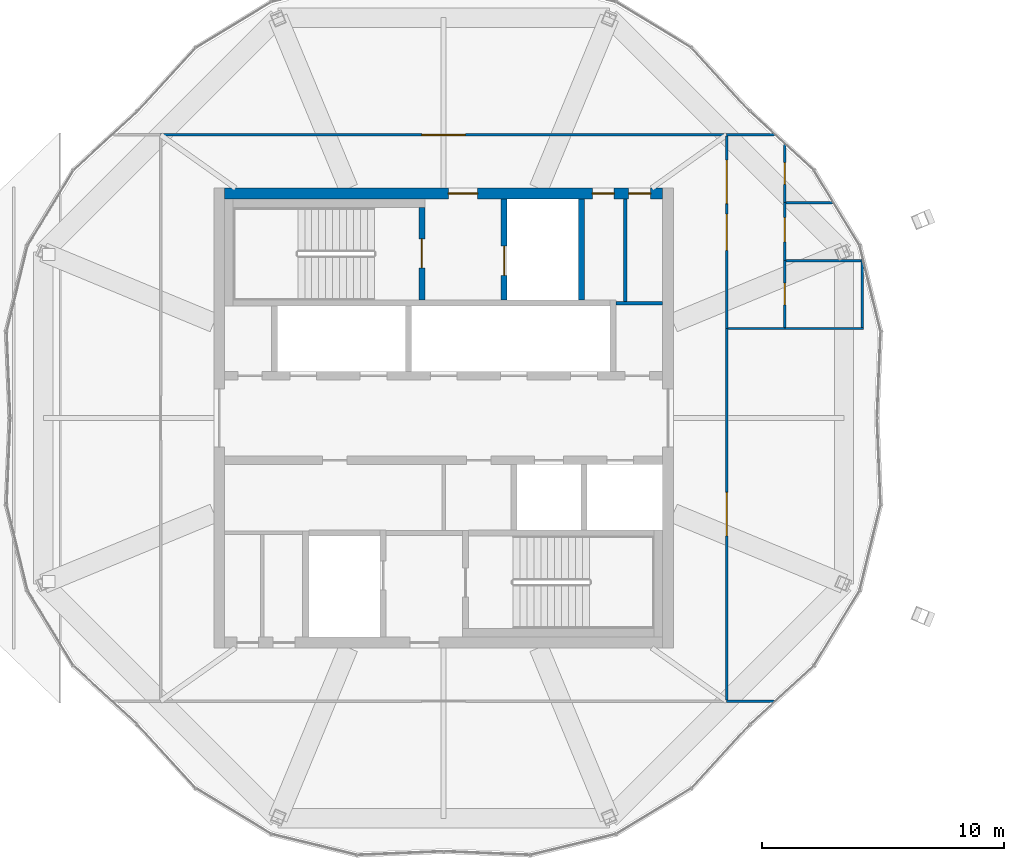
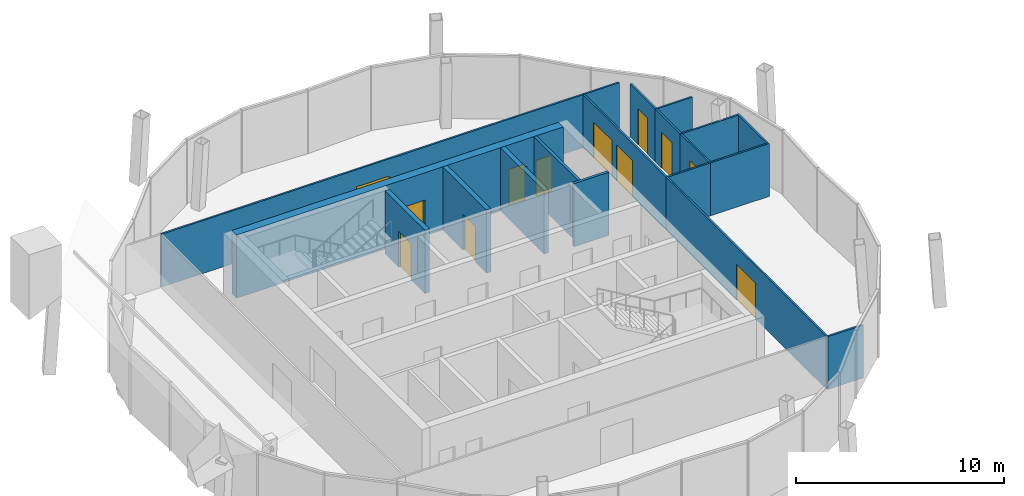
# One storey, part 17 of 22: 19 walls, 12 doors, 12 openings.
"""IFC4 building model written with IfcOpenShell, lengths in metres."""

from ifc_helpers import new_model, si_unit, direction, frame, frame_2d, origin, place, context, subcontext, project, spatial, rectangle, extrude, material, layer, layer_set, type_object, element, fill, save


model = new_model("IFC4")

# Units and contexts
model_context = context("Model", 3, precision=1e-05, world=origin(), true_north=direction((0.0, 1.0)))
body_context = subcontext(model_context, "Body", "Model", "MODEL_VIEW")
ifc_project = project(units=[si_unit("LENGTHUNIT", "METRE"), si_unit("AREAUNIT", "SQUARE_METRE"), si_unit("VOLUMEUNIT", "CUBIC_METRE"), si_unit("PLANEANGLEUNIT", "RADIAN"), si_unit("MASSUNIT", "GRAM", prefix="KILO")], contexts=[model_context])

# Site, building, storey
site_placement = place(None, origin())
site = spatial("IfcSite", under=ifc_project, at=site_placement, CompositionType="ELEMENT")
building_placement = place(site_placement, origin())
building = spatial("IfcBuilding", under=site, at=building_placement, Name="Ogive Gate Towers", CompositionType="ELEMENT")
storey_placement = place(building_placement, frame((0.0, 0.0, 298.0)))
storey = spatial("IfcBuildingStorey", under=building, at=storey_placement, Name="L70", CompositionType="ELEMENT", Elevation=298.0)

# Wall, openings, doors
ifc_material_1 = material(Name="Concrete C60/75", Category="concrete")
ifc_layer_1 = layer(ifc_material_1, 0.449951171875)
ifc_layer_set_1 = layer_set([ifc_layer_1], Name="Core wall 450 mm")
wall_type_1 = type_object("IfcWallType", Name="Core wall 450 mm", PredefinedType="SHEAR", material=ifc_layer_set_1)
wall_1_placement = place(storey_placement, frame((-45.050048828125, 9.27490234375, 0.0), z_axis=(0.0, 0.0, 1.0), x_axis=(1.0, 0.0, 0.0)))
wall_1 = element("IfcWall", 1, at=wall_1_placement, inside=storey, type_object=wall_type_1, Name="T1 L70 Core wall 450 mm", PredefinedType="SHEAR", context=body_context, shape_type="SweptSolid", body=[
    extrude(rectangle(XDim=18.10009765625, YDim=0.449951171875, at=frame_2d((9.050048828125, 0.0))), origin(), (0.0, 0.0, 1.0), 3.699951171875),
])
opening_1_placement = place(wall_1_placement, frame((9.25, 0.0, 0.0)))
opening_1 = element("IfcOpeningElement", 2, at=opening_1_placement, cuts=wall_1, Name="Opening KD-T1-L70-18", PredefinedType="OPENING", context=body_context, shape_type="SweptSolid", body=[
    extrude(rectangle(XDim=1.199951171875, YDim=2.10009765625, at=frame_2d((0.60009765625, 1.050048828125))), frame((0.0, 0.23486328125, 0.0), z_axis=(0.0, -1.0, 0.0), x_axis=(1.0, 0.0, 0.0)), (0.0, 0.0, 1.0), 0.469970703125),
])
opening_2_placement = place(wall_1_placement, frame((15.199951171875, 0.0, 0.0)))
opening_2 = element("IfcOpeningElement", 3, at=opening_2_placement, cuts=wall_1, Name="Opening KD-T1-L70-20", PredefinedType="OPENING", context=body_context, shape_type="SweptSolid", body=[
    extrude(rectangle(XDim=0.89990234375, YDim=2.10009765625, at=frame_2d((0.449951171875, 1.050048828125))), frame((0.0, 0.23486328125, 0.0), z_axis=(0.0, -1.0, 0.0), x_axis=(1.0, 0.0, 0.0)), (0.0, 0.0, 1.0), 0.469970703125),
])
opening_3_placement = place(wall_1_placement, frame((16.699951171875, 0.0, 0.0)))
opening_3 = element("IfcOpeningElement", 4, at=opening_3_placement, cuts=wall_1, Name="Opening KD-T1-L70-21", PredefinedType="OPENING", context=body_context, shape_type="SweptSolid", body=[
    extrude(rectangle(XDim=0.89990234375, YDim=2.10009765625, at=frame_2d((0.449951171875, 1.050048828125))), frame((0.0, 0.23486328125, 0.0), z_axis=(0.0, -1.0, 0.0), x_axis=(1.0, 0.0, 0.0)), (0.0, 0.0, 1.0), 0.469970703125),
])
ifc_material_2 = material(Name="Steel fire door", Category="steel")
door_type_1 = type_object("IfcDoorType", Name="Core door FD60S 1200 x 2100", OperationType="NOTDEFINED", PredefinedType="DOOR", material=ifc_material_2)
door_1_placement = place(opening_1_placement, origin())
door_1 = element("IfcDoor", 5, at=door_1_placement, inside=storey, type_object=door_type_1, Name="T1 L70 Fire-fighting lobby door", OperationType="SINGLE_SWING_LEFT", OverallHeight=2.10009765625, OverallWidth=1.199951171875, PredefinedType="DOOR", context=body_context, shape_type="SweptSolid", body=[
    extrude(rectangle(XDim=1.199951171875, YDim=2.10009765625, at=frame_2d((0.60009765625, 1.050048828125))), frame((0.0, 0.02490234375, 0.0), z_axis=(0.0, -1.0, 0.0), x_axis=(1.0, 0.0, 0.0)), (0.0, 0.0, 1.0), 0.050048828125),
])
fill(opening_1, door_1)
door_type_2 = type_object("IfcDoorType", Name="Core door FD60S 900 x 2100", OperationType="NOTDEFINED", PredefinedType="DOOR", material=ifc_material_2)
door_2_placement = place(opening_2_placement, origin())
door_2 = element("IfcDoor", 6, at=door_2_placement, inside=storey, type_object=door_type_2, Name="T1 L70 Core door", OperationType="SINGLE_SWING_LEFT", OverallHeight=2.10009765625, OverallWidth=0.89990234375, PredefinedType="DOOR", context=body_context, shape_type="SweptSolid", body=[
    extrude(rectangle(XDim=0.89990234375, YDim=2.10009765625, at=frame_2d((0.449951171875, 1.050048828125))), frame((0.0, 0.02490234375, 0.0), z_axis=(0.0, -1.0, 0.0), x_axis=(1.0, 0.0, 0.0)), (0.0, 0.0, 1.0), 0.050048828125),
])
fill(opening_2, door_2)
door_3_placement = place(opening_3_placement, origin())
door_3 = element("IfcDoor", 7, at=door_3_placement, inside=storey, type_object=door_type_2, Name="T1 L70 Core door", OperationType="SINGLE_SWING_RIGHT", OverallHeight=2.10009765625, OverallWidth=0.89990234375, PredefinedType="DOOR", context=body_context, shape_type="SweptSolid", body=[
    extrude(rectangle(XDim=0.89990234375, YDim=2.10009765625, at=frame_2d((0.449951171875, 1.050048828125))), frame((0.0, 0.02490234375, 0.0), z_axis=(0.0, -1.0, 0.0), x_axis=(1.0, 0.0, 0.0)), (0.0, 0.0, 1.0), 0.050048828125),
])
fill(opening_3, door_3)

# Wall, opening, door
ifc_material_3 = material(Name="Gypsum board partition")
ifc_layer_2 = layer(ifc_material_3, 0.10009765625)
ifc_layer_set_2 = layer_set([ifc_layer_2], Name="Partition wall 100")
wall_type_2 = type_object("IfcWallType", Name="Partition wall 100", PredefinedType="PARTITIONING", material=ifc_layer_set_2)
wall_2_placement = place(storey_placement, frame((-21.89990234375, 3.75, 0.0), z_axis=(0.0, 0.0, 1.0), x_axis=(0.0, 1.0, 0.0)))
wall_2 = element("IfcWall", 8, at=wall_2_placement, inside=storey, type_object=wall_type_2, Name="L70 partition 001", PredefinedType="PARTITIONING", context=body_context, shape_type="SweptSolid", body=[
    extrude(rectangle(XDim=2.75, YDim=0.10009765625, at=frame_2d((1.375, 0.0))), origin(), (0.0, 0.0, 1.0), 3.10009765625),
])
opening_4_placement = place(wall_2_placement, frame((0.925048828125, 0.0, 0.0)))
opening_4 = element("IfcOpeningElement", 9, at=opening_4_placement, cuts=wall_2, Name="Opening PO306", PredefinedType="OPENING", context=body_context, shape_type="SweptSolid", body=[
    extrude(rectangle(XDim=0.89990234375, YDim=2.10009765625, at=frame_2d((0.449951171875, 1.050048828125))), frame((0.0, 0.06005859375, 0.0), z_axis=(0.0, -1.0, 0.0), x_axis=(1.0, 0.0, 0.0)), (0.0, 0.0, 1.0), 0.1201171875),
])
ifc_material_4 = material(Name="Timber door", Category="wood")
door_type_3 = type_object("IfcDoorType", Name="Door 900 x 2100", OperationType="NOTDEFINED", PredefinedType="DOOR", material=ifc_material_4)
door_4_placement = place(opening_4_placement, origin())
door_4 = element("IfcDoor", 10, at=door_4_placement, inside=storey, type_object=door_type_3, Name="Door PO306", OperationType="SINGLE_SWING_RIGHT", OverallHeight=2.10009765625, OverallWidth=0.89990234375, PredefinedType="DOOR", context=body_context, shape_type="SweptSolid", body=[
    extrude(rectangle(XDim=0.89990234375, YDim=2.10009765625, at=frame_2d((0.449951171875, 1.050048828125))), frame((0.0, 0.02490234375, 0.0), z_axis=(0.0, -1.0, 0.0), x_axis=(1.0, 0.0, 0.0)), (0.0, 0.0, 1.0), 0.050048828125),
])
fill(opening_4, door_4)

wall_3_placement = place(storey_placement, frame((-21.89990234375, 6.5, 0.0), z_axis=(0.0, 0.0, 1.0), x_axis=(0.0, 1.0, 0.0)))
wall_3 = element("IfcWall", 11, at=wall_3_placement, inside=storey, type_object=wall_type_2, Name="L70 partition 002", PredefinedType="PARTITIONING", context=body_context, shape_type="SweptSolid", body=[
    extrude(rectangle(XDim=2.563720703125, YDim=0.10009765625, at=frame_2d((1.28173828125, 0.0))), origin(), (0.0, 0.0, 1.0), 3.10009765625),
])
opening_5_placement = place(wall_3_placement, frame((0.781982421875, 0.0, 0.0)))
opening_5 = element("IfcOpeningElement", 12, at=opening_5_placement, cuts=wall_3, Name="Opening PO307", PredefinedType="OPENING", context=body_context, shape_type="SweptSolid", body=[
    extrude(rectangle(XDim=1.0, YDim=2.10009765625, at=frame_2d((0.5, 1.050048828125))), frame((0.0, 0.06005859375, 0.0), z_axis=(0.0, -1.0, 0.0), x_axis=(1.0, 0.0, 0.0)), (0.0, 0.0, 1.0), 0.1201171875),
])
door_type_4 = type_object("IfcDoorType", Name="Door 1000 x 2100", OperationType="NOTDEFINED", PredefinedType="DOOR", material=ifc_material_4)
door_5_placement = place(opening_5_placement, origin())
door_5 = element("IfcDoor", 13, at=door_5_placement, inside=storey, type_object=door_type_4, Name="Door PO307", OperationType="SINGLE_SWING_LEFT", OverallHeight=2.10009765625, OverallWidth=1.0, PredefinedType="DOOR", context=body_context, shape_type="SweptSolid", body=[
    extrude(rectangle(XDim=1.0, YDim=2.10009765625, at=frame_2d((0.5, 1.050048828125))), frame((0.0, 0.02490234375, 0.0), z_axis=(0.0, -1.0, 0.0), x_axis=(1.0, 0.0, 0.0)), (0.0, 0.0, 1.0), 0.050048828125),
])
fill(opening_5, door_5)

wall_4_placement = place(storey_placement, frame((-21.89990234375, 8.89990234375, 0.0), z_axis=(0.0, 0.0, 1.0), x_axis=(0.0, 1.0, 0.0)))
wall_4 = element("IfcWall", 14, at=wall_4_placement, inside=storey, type_object=wall_type_2, Name="L70 partition 003", PredefinedType="PARTITIONING", context=body_context, shape_type="SweptSolid", body=[
    extrude(rectangle(XDim=2.40234375, YDim=0.10009765625, at=frame_2d((1.201171875, 0.0))), origin(), (0.0, 0.0, 1.0), 3.10009765625),
])
opening_6_placement = place(wall_4_placement, frame((0.751220703125, 0.0, 0.0)))
opening_6 = element("IfcOpeningElement", 15, at=opening_6_placement, cuts=wall_4, Name="Opening PO308", PredefinedType="OPENING", context=body_context, shape_type="SweptSolid", body=[
    extrude(rectangle(XDim=0.89990234375, YDim=2.10009765625, at=frame_2d((0.449951171875, 1.050048828125))), frame((0.0, 0.06005859375, 0.0), z_axis=(0.0, -1.0, 0.0), x_axis=(1.0, 0.0, 0.0)), (0.0, 0.0, 1.0), 0.1201171875),
])
door_6_placement = place(opening_6_placement, origin())
door_6 = element("IfcDoor", 16, at=door_6_placement, inside=storey, type_object=door_type_3, Name="Door PO308", OperationType="SINGLE_SWING_RIGHT", OverallHeight=2.10009765625, OverallWidth=0.89990234375, PredefinedType="DOOR", context=body_context, shape_type="SweptSolid", body=[
    extrude(rectangle(XDim=0.89990234375, YDim=2.10009765625, at=frame_2d((0.449951171875, 1.050048828125))), frame((0.0, 0.02490234375, 0.0), z_axis=(0.0, -1.0, 0.0), x_axis=(1.0, 0.0, 0.0)), (0.0, 0.0, 1.0), 0.050048828125),
])
fill(opening_6, door_6)

# Walls
wall_5_placement = place(storey_placement, frame((-24.300048828125, 11.699951171875, 0.0), z_axis=(0.0, 0.0, 1.0), x_axis=(1.0, 0.0, 0.0)))
element("IfcWall", 17, at=wall_5_placement, inside=storey, type_object=wall_type_2, Name="L70 partition 004", PredefinedType="PARTITIONING", context=body_context, shape_type="SweptSolid", body=[
    extrude(rectangle(XDim=1.968017578125, YDim=0.10009765625, at=frame_2d((0.98388671875, 0.0))), origin(), (0.0, 0.0, 1.0), 3.10009765625),
])
wall_6_placement = place(storey_placement, frame((-24.25, 3.699951171875, 0.0), z_axis=(0.0, 0.0, 1.0), x_axis=(1.0, 0.0, 0.0)))
element("IfcWall", 18, at=wall_6_placement, inside=storey, type_object=wall_type_2, Name="L70 partition 005", PredefinedType="PARTITIONING", context=body_context, shape_type="SweptSolid", body=[
    extrude(rectangle(XDim=2.35009765625, YDim=0.10009765625, at=frame_2d((1.175048828125, 0.0))), origin(), (0.0, 0.0, 1.0), 3.10009765625),
])

# Wall, openings, doors
wall_7_placement = place(storey_placement, frame((-24.300048828125, 3.699951171875, 0.0), z_axis=(0.0, 0.0, 1.0), x_axis=(0.0, 1.0, 0.0)))
wall_7 = element("IfcWall", 19, at=wall_7_placement, inside=storey, type_object=wall_type_2, Name="L70 partition 006", PredefinedType="PARTITIONING", context=body_context, shape_type="SweptSolid", body=[
    extrude(rectangle(XDim=7.949951171875, YDim=0.10009765625, at=frame_2d((3.97509765625, 0.0))), origin(), (0.0, 0.0, 1.0), 3.10009765625),
])
opening_7_placement = place(wall_7_placement, frame((3.22509765625, 0.0, 0.0)))
opening_7 = element("IfcOpeningElement", 20, at=opening_7_placement, cuts=wall_7, Name="Opening PO305", PredefinedType="OPENING", context=body_context, shape_type="SweptSolid", body=[
    extrude(rectangle(XDim=1.5, YDim=2.10009765625, at=frame_2d((0.75, 1.050048828125))), frame((0.0, 0.06005859375, 0.0), z_axis=(0.0, -1.0, 0.0), x_axis=(1.0, 0.0, 0.0)), (0.0, 0.0, 1.0), 0.1201171875),
])
opening_8_placement = place(wall_7_placement, frame((5.15625, 0.0, 0.0)))
opening_8 = element("IfcOpeningElement", 21, at=opening_8_placement, cuts=wall_7, Name="Opening PO313", PredefinedType="OPENING", context=body_context, shape_type="SweptSolid", body=[
    extrude(rectangle(XDim=1.800048828125, YDim=2.10009765625, at=frame_2d((0.89990234375, 1.050048828125))), frame((0.0, 0.06005859375, 0.0), z_axis=(0.0, -1.0, 0.0), x_axis=(1.0, 0.0, 0.0)), (0.0, 0.0, 1.0), 0.1201171875),
])
door_type_5 = type_object("IfcDoorType", Name="Double door 1500 x 2100", OperationType="NOTDEFINED", PredefinedType="DOOR", material=ifc_material_4)
door_7_placement = place(opening_7_placement, origin())
door_7 = element("IfcDoor", 22, at=door_7_placement, inside=storey, type_object=door_type_5, Name="Door PO305", OperationType="DOUBLE_DOOR_DOUBLE_SWING", OverallHeight=2.10009765625, OverallWidth=1.5, PredefinedType="DOOR", context=body_context, shape_type="SweptSolid", body=[
    extrude(rectangle(XDim=1.5, YDim=2.10009765625, at=frame_2d((0.75, 1.050048828125))), frame((0.0, 0.02490234375, 0.0), z_axis=(0.0, -1.0, 0.0), x_axis=(1.0, 0.0, 0.0)), (0.0, 0.0, 1.0), 0.050048828125),
])
fill(opening_7, door_7)
door_type_6 = type_object("IfcDoorType", Name="Double door 1800 x 2100", OperationType="NOTDEFINED", PredefinedType="DOOR", material=ifc_material_4)
door_8_placement = place(opening_8_placement, origin())
door_8 = element("IfcDoor", 23, at=door_8_placement, inside=storey, type_object=door_type_6, Name="Door PO313", OperationType="DOUBLE_DOOR_DOUBLE_SWING", OverallHeight=2.10009765625, OverallWidth=1.800048828125, PredefinedType="DOOR", context=body_context, shape_type="SweptSolid", body=[
    extrude(rectangle(XDim=1.800048828125, YDim=2.10009765625, at=frame_2d((0.89990234375, 1.050048828125))), frame((0.0, 0.02490234375, 0.0), z_axis=(0.0, -1.0, 0.0), x_axis=(1.0, 0.0, 0.0)), (0.0, 0.0, 1.0), 0.050048828125),
])
fill(opening_8, door_8)

# Walls
wall_8_placement = place(storey_placement, frame((-21.85009765625, 6.5, 0.0), z_axis=(0.0, 0.0, 1.0), x_axis=(1.0, 0.0, 0.0)))
element("IfcWall", 24, at=wall_8_placement, inside=storey, type_object=wall_type_2, Name="L70 partition 007", PredefinedType="PARTITIONING", context=body_context, shape_type="SweptSolid", body=[
    extrude(rectangle(XDim=3.16552734375, YDim=0.10009765625, at=frame_2d((1.582763671875, 0.0))), origin(), (0.0, 0.0, 1.0), 3.10009765625),
])
wall_9_placement = place(storey_placement, frame((-21.89990234375, 3.699951171875, 0.0), z_axis=(0.0, 0.0, 1.0), x_axis=(1.0, 0.0, 0.0)))
element("IfcWall", 25, at=wall_9_placement, inside=storey, type_object=wall_type_2, Name="L70 partition 008", PredefinedType="PARTITIONING", context=body_context, shape_type="SweptSolid", body=[
    extrude(rectangle(XDim=3.25, YDim=0.10009765625, at=frame_2d((1.625, 0.0))), origin(), (0.0, 0.0, 1.0), 3.10009765625),
])
wall_10_placement = place(storey_placement, frame((-18.699951171875, 3.75, 0.0), z_axis=(0.0, 0.0, 1.0), x_axis=(0.0, 1.0, 0.0)))
element("IfcWall", 26, at=wall_10_placement, inside=storey, type_object=wall_type_2, Name="L70 partition 009", PredefinedType="PARTITIONING", context=body_context, shape_type="SweptSolid", body=[
    extrude(rectangle(XDim=2.8134765625, YDim=0.10009765625, at=frame_2d((1.40673828125, 0.0))), origin(), (0.0, 0.0, 1.0), 3.10009765625),
])
wall_11_placement = place(storey_placement, frame((-21.85009765625, 8.89990234375, 0.0), z_axis=(0.0, 0.0, 1.0), x_axis=(1.0, 0.0, 0.0)))
element("IfcWall", 27, at=wall_11_placement, inside=storey, type_object=wall_type_2, Name="L70 partition 010", PredefinedType="PARTITIONING", context=body_context, shape_type="SweptSolid", body=[
    extrude(rectangle(XDim=1.92919921875, YDim=0.10009765625, at=frame_2d((0.964599609375, 0.0))), origin(), (0.0, 0.0, 1.0), 3.10009765625),
])

# Wall, opening, door
wall_12_placement = place(storey_placement, frame((-47.699951171875, 11.699951171875, 0.0), z_axis=(0.0, 0.0, 1.0), x_axis=(1.0, 0.0, 0.0)))
wall_12 = element("IfcWall", 28, at=wall_12_placement, inside=storey, type_object=wall_type_2, Name="L70 partition 012", PredefinedType="PARTITIONING", context=body_context, shape_type="SweptSolid", body=[
    extrude(rectangle(XDim=23.39990234375, YDim=0.10009765625, at=frame_2d((11.699951171875, 0.0))), origin(), (0.0, 0.0, 1.0), 3.10009765625),
])
opening_9_placement = place(wall_12_placement, frame((10.800048828125, 0.0, 0.0)))
opening_9 = element("IfcOpeningElement", 29, at=opening_9_placement, cuts=wall_12, Name="Opening PO309", PredefinedType="OPENING", context=body_context, shape_type="SweptSolid", body=[
    extrude(rectangle(XDim=1.800048828125, YDim=2.10009765625, at=frame_2d((0.89990234375, 1.050048828125))), frame((0.0, 0.06005859375, 0.0), z_axis=(0.0, -1.0, 0.0), x_axis=(1.0, 0.0, 0.0)), (0.0, 0.0, 1.0), 0.1201171875),
])
door_9_placement = place(opening_9_placement, origin())
door_9 = element("IfcDoor", 30, at=door_9_placement, inside=storey, type_object=door_type_6, Name="Door PO309", OperationType="DOUBLE_DOOR_DOUBLE_SWING", OverallHeight=2.10009765625, OverallWidth=1.800048828125, PredefinedType="DOOR", context=body_context, shape_type="SweptSolid", body=[
    extrude(rectangle(XDim=1.800048828125, YDim=2.10009765625, at=frame_2d((0.89990234375, 1.050048828125))), frame((0.0, 0.02490234375, 0.0), z_axis=(0.0, -1.0, 0.0), x_axis=(1.0, 0.0, 0.0)), (0.0, 0.0, 1.0), 0.050048828125),
])
fill(opening_9, door_9)

# Wall
wall_13_placement = place(storey_placement, frame((-24.300048828125, -11.699951171875, 0.0), z_axis=(0.0, 0.0, 1.0), x_axis=(1.0, 0.0, 0.0)))
element("IfcWall", 31, at=wall_13_placement, inside=storey, type_object=wall_type_2, Name="L70 partition 014", PredefinedType="PARTITIONING", context=body_context, shape_type="SweptSolid", body=[
    extrude(rectangle(XDim=1.968017578125, YDim=0.10009765625, at=frame_2d((0.98388671875, 0.0))), origin(), (0.0, 0.0, 1.0), 3.10009765625),
])

# Wall, opening, door
wall_14_placement = place(storey_placement, frame((-24.300048828125, -11.64990234375, 0.0), z_axis=(0.0, 0.0, 1.0), x_axis=(0.0, 1.0, 0.0)))
wall_14 = element("IfcWall", 32, at=wall_14_placement, inside=storey, type_object=wall_type_2, Name="L70 partition 017", PredefinedType="PARTITIONING", context=body_context, shape_type="SweptSolid", body=[
    extrude(rectangle(XDim=15.349853515625, YDim=0.10009765625, at=frame_2d((7.6748046875, 0.0))), origin(), (0.0, 0.0, 1.0), 3.10009765625),
])
opening_10_placement = place(wall_14_placement, frame((6.77490234375, 0.0, 0.0)))
opening_10 = element("IfcOpeningElement", 33, at=opening_10_placement, cuts=wall_14, Name="Opening PO312", PredefinedType="OPENING", context=body_context, shape_type="SweptSolid", body=[
    extrude(rectangle(XDim=1.800048828125, YDim=2.10009765625, at=frame_2d((0.89990234375, 1.050048828125))), frame((0.0, 0.06005859375, 0.0), z_axis=(0.0, -1.0, 0.0), x_axis=(1.0, 0.0, 0.0)), (0.0, 0.0, 1.0), 0.1201171875),
])
door_10_placement = place(opening_10_placement, origin())
door_10 = element("IfcDoor", 34, at=door_10_placement, inside=storey, type_object=door_type_6, Name="Door PO312", OperationType="DOUBLE_DOOR_DOUBLE_SWING", OverallHeight=2.10009765625, OverallWidth=1.800048828125, PredefinedType="DOOR", context=body_context, shape_type="SweptSolid", body=[
    extrude(rectangle(XDim=1.800048828125, YDim=2.10009765625, at=frame_2d((0.89990234375, 1.050048828125))), frame((0.0, 0.02490234375, 0.0), z_axis=(0.0, -1.0, 0.0), x_axis=(1.0, 0.0, 0.0)), (0.0, 0.0, 1.0), 0.050048828125),
])
fill(opening_10, door_10)

# Walls
ifc_layer_3 = layer(ifc_material_3, 0.14990234375)
ifc_layer_set_3 = layer_set([ifc_layer_3], Name="Room partition 150 mm")
wall_type_3 = type_object("IfcWallType", Name="Room partition 150 mm", PredefinedType="PARTITIONING", material=ifc_layer_set_3)
wall_15_placement = place(storey_placement, frame((-28.875, 4.75, 0.0), z_axis=(0.0, 0.0, 1.0), x_axis=(1.0, 0.0, 0.0)))
element("IfcWall", 35, at=wall_15_placement, inside=storey, type_object=wall_type_3, Name="T1 L70 Room partition 150 mm", PredefinedType="PARTITIONING", context=body_context, shape_type="SweptSolid", body=[
    extrude(rectangle(XDim=1.925048828125, YDim=0.14990234375, at=frame_2d((0.96240234375, 0.0))), origin(), (0.0, 0.0, 1.0), 3.699951171875),
])
wall_16_placement = place(storey_placement, frame((-28.5, 4.824951171875, 0.0), z_axis=(0.0, 0.0, 1.0), x_axis=(0.0, 1.0, 0.0)))
element("IfcWall", 36, at=wall_16_placement, inside=storey, type_object=wall_type_3, Name="T1 L70 Room partition 150 mm", PredefinedType="PARTITIONING", context=body_context, shape_type="SweptSolid", body=[
    extrude(rectangle(XDim=4.22509765625, YDim=0.14990234375, at=frame_2d((2.112548828125, 0.0))), origin(), (0.0, 0.0, 1.0), 3.699951171875),
])

# Wall, opening, door
ifc_layer_4 = layer(ifc_material_1, 0.25)
ifc_layer_set_4 = layer_set([ifc_layer_4], Name="Shaft wall 250 mm")
wall_type_4 = type_object("IfcWallType", Name="Shaft wall 250 mm", PredefinedType="SHEAR", material=ifc_layer_set_4)
wall_17_placement = place(storey_placement, frame((-36.89990234375, 4.875, 0.0), z_axis=(0.0, 0.0, 1.0), x_axis=(0.0, 1.0, 0.0)))
wall_17 = element("IfcWall", 37, at=wall_17_placement, inside=storey, type_object=wall_type_4, Name="T1 L70 Shaft wall 250 mm", PredefinedType="SHEAR", context=body_context, shape_type="SweptSolid", body=[
    extrude(rectangle(XDim=3.824951171875, YDim=0.25, at=frame_2d((1.91259765625, 0.0))), origin(), (0.0, 0.0, 1.0), 3.699951171875),
])
opening_11_placement = place(wall_17_placement, frame((1.324951171875, 0.0, 0.0)))
opening_11 = element("IfcOpeningElement", 38, at=opening_11_placement, cuts=wall_17, Name="Opening KD-T1-L70-16", PredefinedType="OPENING", context=body_context, shape_type="SweptSolid", body=[
    extrude(rectangle(XDim=1.199951171875, YDim=2.10009765625, at=frame_2d((0.60009765625, 1.050048828125))), frame((0.0, 0.135009765625, 0.0), z_axis=(0.0, -1.0, 0.0), x_axis=(1.0, 0.0, 0.0)), (0.0, 0.0, 1.0), 0.27001953125),
])
door_11_placement = place(opening_11_placement, origin())
door_11 = element("IfcDoor", 39, at=door_11_placement, inside=storey, type_object=door_type_1, Name="T1 L70 Stair door", OperationType="SINGLE_SWING_LEFT", OverallHeight=2.10009765625, OverallWidth=1.199951171875, PredefinedType="DOOR", context=body_context, shape_type="SweptSolid", body=[
    extrude(rectangle(XDim=1.199951171875, YDim=2.10009765625, at=frame_2d((0.60009765625, 1.050048828125))), frame((0.0, 0.02490234375, 0.0), z_axis=(0.0, -1.0, 0.0), x_axis=(1.0, 0.0, 0.0)), (0.0, 0.0, 1.0), 0.050048828125),
])
fill(opening_11, door_11)

wall_18_placement = place(storey_placement, frame((-33.5, 4.875, 0.0), z_axis=(0.0, 0.0, 1.0), x_axis=(0.0, 1.0, 0.0)))
wall_18 = element("IfcWall", 40, at=wall_18_placement, inside=storey, type_object=wall_type_4, Name="T1 L70 Shaft wall 250 mm", PredefinedType="SHEAR", context=body_context, shape_type="SweptSolid", body=[
    extrude(rectangle(XDim=4.175048828125, YDim=0.25, at=frame_2d((2.08740234375, 0.0))), origin(), (0.0, 0.0, 1.0), 3.699951171875),
])
opening_12_placement = place(wall_18_placement, frame((1.02490234375, 0.0, 0.0)))
opening_12 = element("IfcOpeningElement", 41, at=opening_12_placement, cuts=wall_18, Name="Opening LD-T1-L70-12", PredefinedType="OPENING", context=body_context, shape_type="SweptSolid", body=[
    extrude(rectangle(XDim=1.199951171875, YDim=2.10009765625, at=frame_2d((0.60009765625, 1.050048828125))), frame((0.0, 0.135009765625, 0.0), z_axis=(0.0, -1.0, 0.0), x_axis=(1.0, 0.0, 0.0)), (0.0, 0.0, 1.0), 0.27001953125),
])
ifc_material_5 = material(Name="Stainless steel landing door", Category="steel")
door_type_7 = type_object("IfcDoorType", Name="Landing door 1200 x 2100", OperationType="SLIDING_TO_LEFT", PredefinedType="DOOR", material=ifc_material_5)
door_12_placement = place(opening_12_placement, origin())
door_12 = element("IfcDoor", 42, at=door_12_placement, inside=storey, type_object=door_type_7, Name="T1 L70 Lift landing door FF1", OperationType="SLIDING_TO_LEFT", OverallHeight=2.10009765625, OverallWidth=1.199951171875, PredefinedType="DOOR", context=body_context, shape_type="SweptSolid", body=[
    extrude(rectangle(XDim=1.199951171875, YDim=2.10009765625, at=frame_2d((0.60009765625, 1.050048828125))), frame((0.0, 0.02490234375, 0.0), z_axis=(0.0, -1.0, 0.0), x_axis=(1.0, 0.0, 0.0)), (0.0, 0.0, 1.0), 0.050048828125),
])
fill(opening_12, door_12)

# Wall
wall_19_placement = place(storey_placement, frame((-30.300048828125, 4.875, 0.0), z_axis=(0.0, 0.0, 1.0), x_axis=(0.0, 1.0, 0.0)))
element("IfcWall", 43, at=wall_19_placement, inside=storey, type_object=wall_type_4, Name="T1 L70 Shaft wall 250 mm", PredefinedType="SHEAR", context=body_context, shape_type="SweptSolid", body=[
    extrude(rectangle(XDim=4.175048828125, YDim=0.25, at=frame_2d((2.08740234375, 0.0))), origin(), (0.0, 0.0, 1.0), 3.699951171875),
])

save(model, "model.ifc")
